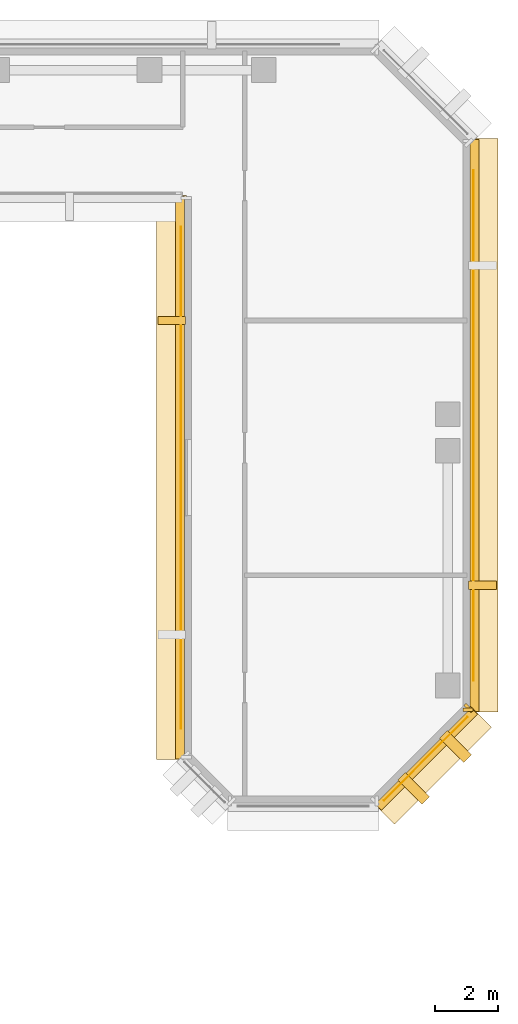
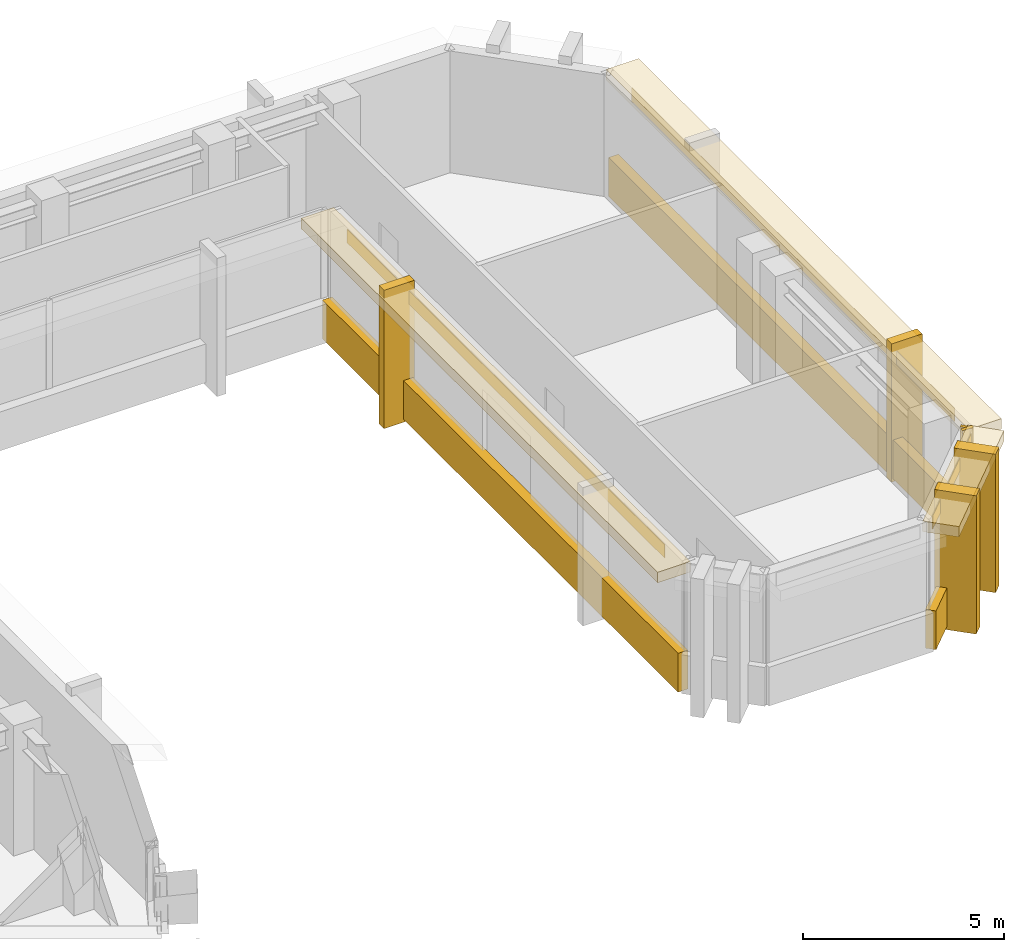
# One storey, part 9 of 11: 15 coverings.
"""IFC4 building model written with IfcOpenShell, lengths in metres."""

from ifc_helpers import new_model, si_unit, direction, frame, origin, origin_2d, place, context, subcontext, project, spatial, rectangle, extrude, material, layer, layer_set, type_object, element, save


model = new_model("IFC4")

# Units and contexts
model_context = context("Model", 3, precision=1e-05, world=origin(), true_north=direction((0.0, 1.0)))
body_context = subcontext(model_context, "Body", "Model", "MODEL_VIEW")
ifc_project = project(units=[si_unit("LENGTHUNIT", "METRE"), si_unit("AREAUNIT", "SQUARE_METRE"), si_unit("VOLUMEUNIT", "CUBIC_METRE"), si_unit("PLANEANGLEUNIT", "RADIAN"), si_unit("MASSUNIT", "GRAM", prefix="KILO")], contexts=[model_context])

# Site, building, storey
site_placement = place(None, origin())
site = spatial("IfcSite", under=ifc_project, at=site_placement, CompositionType="ELEMENT")
building_placement = place(site_placement, origin())
building = spatial("IfcBuilding", under=site, at=building_placement, Name="Kefirva Bronze Tower", CompositionType="ELEMENT")
storey_placement = place(building_placement, frame((0.0, 0.0, 239.580078125)))
storey = spatial("IfcBuildingStorey", under=building, at=storey_placement, Name="L58", CompositionType="ELEMENT", Elevation=239.580078125)

# Coverings
ifc_material = material(Name="Bronze anodised aluminium", Category="aluminium")
ifc_layer_1 = layer(ifc_material, 0.02001953125, Name="Bronze anodised aluminium")
ifc_layer_set_1 = layer_set([ifc_layer_1], Name="Bronze anodised aluminium")
covering_type_1 = type_object("IfcCoveringType", Name="Anodised Bronze Spandrel Cladding 20mm", PredefinedType="CLADDING", material=ifc_layer_set_1)
covering_1_placement = place(storey_placement, frame((40.989990234375, 32.35009765625, 3.2900390625), z_axis=(0.0, 0.0, 1.0), x_axis=(0.0, -1.0, 0.0)))
element("IfcCovering", 1, at=covering_1_placement, inside=storey, type_object=covering_type_1, Name="L58 Bronze Spandrel Cladding 5", PredefinedType="CLADDING", context=body_context, shape_type="SweptSolid", body=[
    extrude(rectangle(XDim=15.8310546875, YDim=0.02001953125, at=origin_2d()), origin(), (0.0, 0.0, 1.0), 0.39990234375),
])
covering_2_placement = place(storey_placement, frame((40.9599609375, 32.35009765625, -0.16015625), z_axis=(0.0, 0.0, 1.0), x_axis=(0.0, -1.0, 0.0)))
element("IfcCovering", 2, at=covering_2_placement, inside=storey, type_object=covering_type_1, Name="L58 Streamline Horizontal Spandrel Band 7", PredefinedType="CLADDING", context=body_context, shape_type="SweptSolid", body=[
    extrude(rectangle(XDim=17.739990234375, YDim=0.280029296875, at=origin_2d()), origin(), (0.0, 0.0, 1.0), 1.179931640625),
])
covering_3_placement = place(storey_placement, frame((48.70703125, 23.492919921875, 3.2900390625), z_axis=(0.0, 0.0, 1.0), x_axis=(0.707106781187, 0.707106781187, 0.0)))
element("IfcCovering", 3, at=covering_3_placement, inside=storey, type_object=covering_type_1, Name="L58 Bronze Spandrel Cladding 8", PredefinedType="CLADDING", context=body_context, shape_type="SweptSolid", body=[
    extrude(rectangle(XDim=3.719482421875, YDim=0.02001953125, at=origin_2d()), origin(), (0.0, 0.0, 1.0), 0.39990234375),
])
covering_4_placement = place(storey_placement, frame((50.06201171875, 25.08837890625, 0.0), z_axis=(0.0, 0.0, 1.0), x_axis=(0.707106781187, 0.707106781187, 0.0)))
element("IfcCovering", 4, at=covering_4_placement, inside=storey, type_object=covering_type_1, Name="L58 Facade Joint Closure Panel 8E", PredefinedType="CLADDING", context=body_context, shape_type="SweptSolid", body=[
    extrude(rectangle(XDim=0.10009765625, YDim=0.320068359375, at=origin_2d()), origin(), (0.0, 0.0, 1.0), 3.7099609375),
])
covering_5_placement = place(storey_placement, frame((48.728271484375, 23.4716796875, -0.16015625), z_axis=(0.0, 0.0, 1.0), x_axis=(0.707106781187, 0.707106781187, 0.0)))
element("IfcCovering", 5, at=covering_5_placement, inside=storey, type_object=covering_type_1, Name="L58 Streamline Horizontal Spandrel Band 10", PredefinedType="CLADDING", context=body_context, shape_type="SweptSolid", body=[
    extrude(rectangle(XDim=4.28271484375, YDim=0.280029296875, at=origin_2d()), origin(), (0.0, 0.0, 1.0), 1.179931640625),
])
covering_6_placement = place(storey_placement, frame((50.2099609375, 34.0, 3.2900390625), z_axis=(0.0, 0.0, 1.0), x_axis=(0.0, 1.0, 0.0)))
element("IfcCovering", 6, at=covering_6_placement, inside=storey, type_object=covering_type_1, Name="L58 Bronze Spandrel Cladding 9", PredefinedType="CLADDING", context=body_context, shape_type="SweptSolid", body=[
    extrude(rectangle(XDim=16.10107421875, YDim=0.02001953125, at=origin_2d()), origin(), (0.0, 0.0, 1.0), 0.39990234375),
])
covering_7_placement = place(storey_placement, frame((50.0400390625, 25.034912109375, 0.0), z_axis=(0.0, 0.0, 1.0), x_axis=(0.0, 1.0, 0.0)))
element("IfcCovering", 7, at=covering_7_placement, inside=storey, type_object=covering_type_1, Name="L58 Facade Joint Closure Panel 9S", PredefinedType="CLADDING", context=body_context, shape_type="SweptSolid", body=[
    extrude(rectangle(XDim=0.10009765625, YDim=0.320068359375, at=origin_2d()), origin(), (0.0, 0.0, 1.0), 3.7099609375),
])
covering_8_placement = place(storey_placement, frame((50.239990234375, 34.0, -0.16015625), z_axis=(0.0, 0.0, 1.0), x_axis=(0.0, 1.0, 0.0)))
element("IfcCovering", 8, at=covering_8_placement, inside=storey, type_object=covering_type_1, Name="L58 Streamline Horizontal Spandrel Band 11", PredefinedType="CLADDING", context=body_context, shape_type="SweptSolid", body=[
    extrude(rectangle(XDim=18.0400390625, YDim=0.280029296875, at=origin_2d()), origin(), (0.0, 0.0, 1.0), 1.179931640625),
])
ifc_layer_2 = layer(ifc_material, 0.179931640625, Name="Bronze anodised aluminium")
ifc_layer_set_2 = layer_set([ifc_layer_2], Name="Bronze anodised aluminium")
covering_type_2 = type_object("IfcCoveringType", Name="Streamline Bronze Sunshade Eyebrow Cladding 180mm", PredefinedType="CLADDING", material=ifc_layer_set_2)
covering_9_placement = place(storey_placement, frame((40.68994140625, 32.35009765625, 3.3896484375), z_axis=(0.0, 0.0, 1.0), x_axis=(0.0, -1.0, 0.0)))
element("IfcCovering", 9, at=covering_9_placement, inside=storey, type_object=covering_type_2, Name="L58 Streamline Bronze Sunshade Eyebrow 7", PredefinedType="CLADDING", context=body_context, shape_type="SweptSolid", body=[
    extrude(rectangle(XDim=17.780029296875, YDim=0.93994140625, at=origin_2d()), origin(), (0.0, 0.0, 1.0), 0.320068359375),
])
covering_10_placement = place(storey_placement, frame((48.919189453125, 23.28076171875, 3.3896484375), z_axis=(0.0, 0.0, 1.0), x_axis=(0.707106781187, 0.707106781187, 0.0)))
element("IfcCovering", 10, at=covering_10_placement, inside=storey, type_object=covering_type_2, Name="L58 Streamline Bronze Sunshade Eyebrow 10", PredefinedType="CLADDING", context=body_context, shape_type="SweptSolid", body=[
    extrude(rectangle(XDim=4.322509765625, YDim=0.93994140625, at=origin_2d()), origin(), (0.0, 0.0, 1.0), 0.320068359375),
])
covering_11_placement = place(storey_placement, frame((50.510009765625, 34.0, 3.3896484375), z_axis=(0.0, 0.0, 1.0), x_axis=(0.0, 1.0, 0.0)))
element("IfcCovering", 11, at=covering_11_placement, inside=storey, type_object=covering_type_2, Name="L58 Streamline Bronze Sunshade Eyebrow 11", PredefinedType="CLADDING", context=body_context, shape_type="SweptSolid", body=[
    extrude(rectangle(XDim=18.080078125, YDim=0.93994140625, at=origin_2d()), origin(), (0.0, 0.0, 1.0), 0.320068359375),
])
ifc_layer_3 = layer(ifc_material, 0.260009765625, Name="Bronze anodised aluminium")
ifc_layer_set_3 = layer_set([ifc_layer_3], Name="Bronze anodised aluminium")
covering_type_3 = type_object("IfcCoveringType", Name="Unbroken Bronze Buttress Fin Cladding 260mm", PredefinedType="CLADDING", material=ifc_layer_set_3)
covering_12_placement = place(storey_placement, frame((40.699951171875, 37.305908203125, -0.25), z_axis=(0.0, 0.0, 1.0), x_axis=(0.0, -1.0, 0.0)))
element("IfcCovering", 12, at=covering_12_placement, inside=storey, type_object=covering_type_3, Name="L58 Unbroken Vertical Bronze Rib Fin 13", PredefinedType="CLADDING", context=body_context, shape_type="SweptSolid", body=[
    extrude(rectangle(XDim=0.260009765625, YDim=0.8798828125, at=origin_2d()), origin(), (0.0, 0.0, 1.0), 4.2099609375),
])
for number, where, z_axis, x_axis, name in (
    (13, (48.32275390625, 22.55712890625, -0.25), (0.0, 0.0, 1.0), (0.707106781187, 0.707106781187, 0.0), "L58 Chamfered Corner Buttress Fin Cladding 17"),
    (14, (49.642822265625, 23.877197265625, -0.25), (0.0, 0.0, 1.0), (0.707106781187, 0.707106781187, 0.0), "L58 Chamfered Corner Buttress Fin Cladding 18"),
):
    element("IfcCovering", number, at=place(storey_placement, frame(where, z_axis=z_axis, x_axis=x_axis)), inside=storey, type_object=covering_type_3, Name=name, PredefinedType="CLADDING", context=body_context, shape_type="SweptSolid", body=[
        extrude(rectangle(XDim=0.340087890625, YDim=1.080078125, at=origin_2d()), origin(), (0.0, 0.0, 1.0), 4.2099609375),
    ])
covering_13_placement = place(storey_placement, frame((50.5, 28.9599609375, -0.25), z_axis=(0.0, 0.0, 1.0), x_axis=(0.0, 1.0, 0.0)))
element("IfcCovering", 15, at=covering_13_placement, inside=storey, type_object=covering_type_3, Name="L58 Unbroken Vertical Bronze Rib Fin 19", PredefinedType="CLADDING", context=body_context, shape_type="SweptSolid", body=[
    extrude(rectangle(XDim=0.260009765625, YDim=0.8798828125, at=origin_2d()), origin(), (0.0, 0.0, 1.0), 4.2099609375),
])

save(model, "model.ifc")
